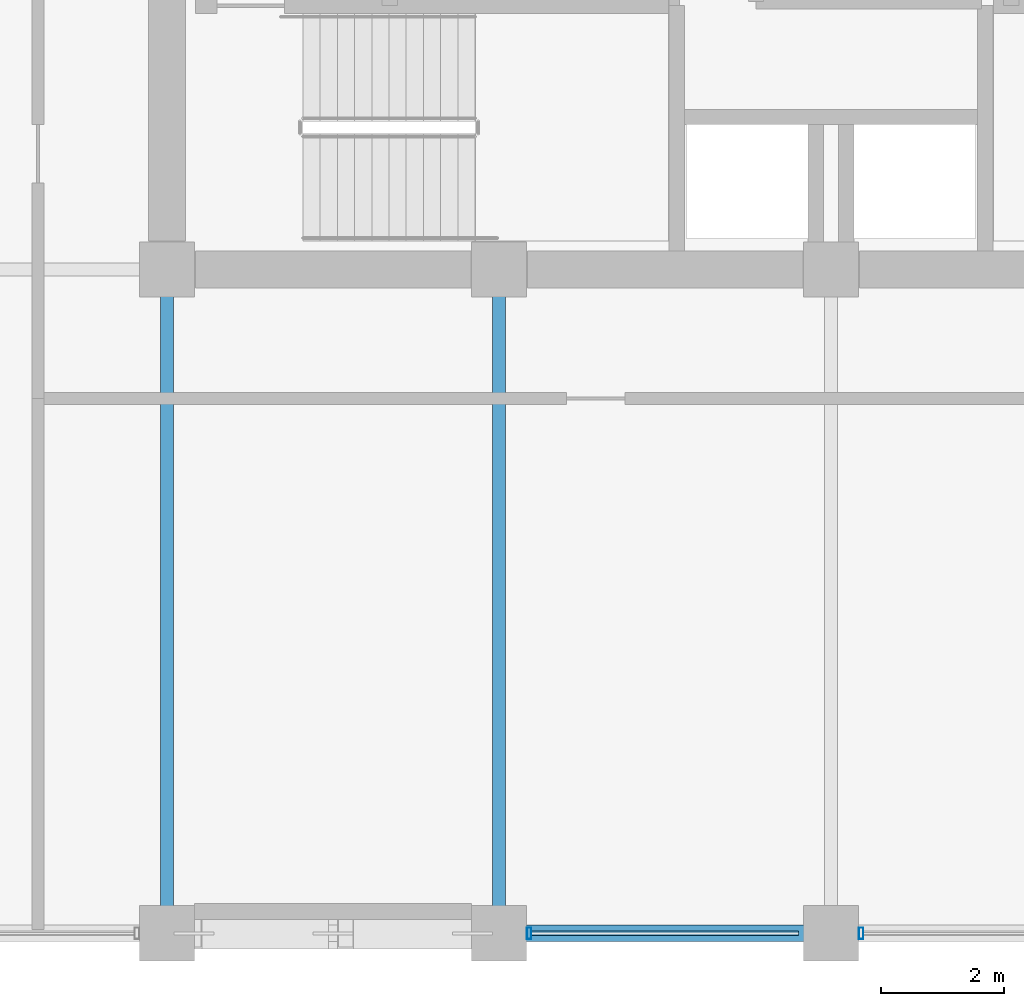
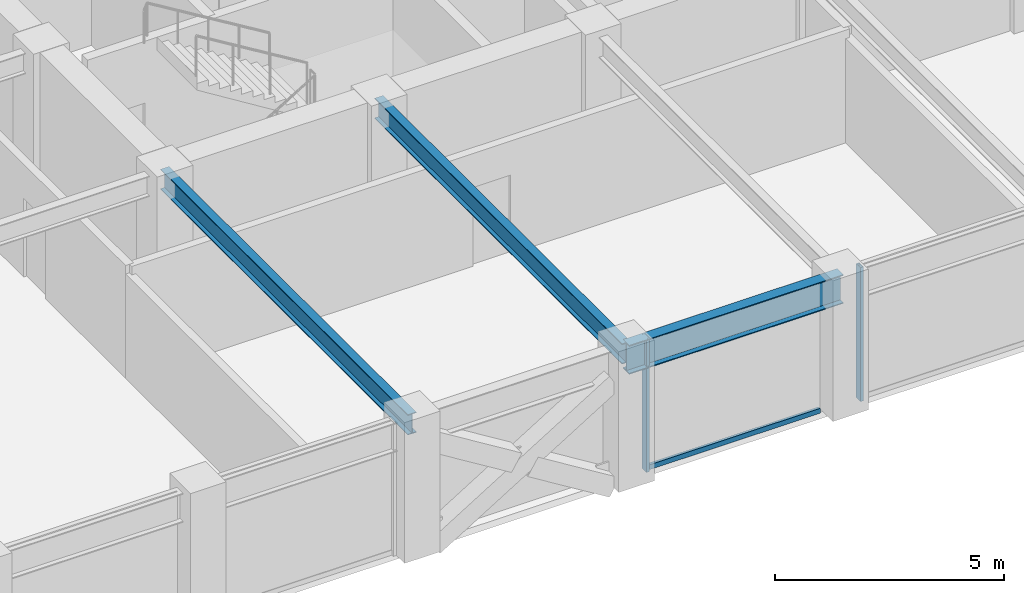
# One storey, part 6 of 32: 3 beams, 3 members, 1 element without a shape of its own.
"""IFC4 building model written with IfcOpenShell, lengths in metres."""

from ifc_helpers import new_model, si_unit, direction, frame, origin, origin_2d, place, context, subcontext, project, spatial, hollow_rectangle, i_section, extrude, material, layer, layer_set, material_profile, profile_set, type_object, element, aggregate, save


model = new_model("IFC4")

# Units and contexts
model_context = context("Model", 3, precision=1e-05, world=origin(), true_north=direction((0.0, 1.0)))
body_context = subcontext(model_context, "Body", "Model", "MODEL_VIEW")
ifc_project = project(units=[si_unit("LENGTHUNIT", "METRE"), si_unit("AREAUNIT", "SQUARE_METRE"), si_unit("VOLUMEUNIT", "CUBIC_METRE"), si_unit("PLANEANGLEUNIT", "RADIAN"), si_unit("MASSUNIT", "GRAM", prefix="KILO")], contexts=[model_context])

# Site, building, storey
site_placement = place(None, origin())
site = spatial("IfcSite", under=ifc_project, at=site_placement, CompositionType="ELEMENT")
building_placement = place(site_placement, origin())
building = spatial("IfcBuilding", under=site, at=building_placement, Name="Surkhivell Harbour Commons", CompositionType="ELEMENT")
storey_placement = place(building_placement, frame((0.0, 0.0, 201.0)))
storey = spatial("IfcBuildingStorey", under=building, at=storey_placement, Name="L52", CompositionType="ELEMENT", Elevation=201.0)

# Beams
ifc_material_1 = material(Name="Steel S355", Category="steel")
ifc_material_profile_1 = material_profile(ifc_material_1, i_section(OverallWidth=0.2119140625, OverallDepth=0.5439453125, WebThickness=0.0126953125, FlangeThickness=0.021240234375, at=origin_2d()), Name="UB533x210x122")
ifc_profile_set_1 = profile_set([ifc_material_profile_1], Name="Steel S355")
beam_type_1 = type_object("IfcBeamType", Name="BM-GRD-533A", PredefinedType="BEAM", material=ifc_profile_set_1)
for number, where, z_axis, x_axis, name in (
    (1, (-10.800048828125, -21.60009765625, 3.298095703125), (0.0, 1.0, 0.0), (-1.0, 0.0, 0.0), "L52 Floor Girder (-10.8,-21.6)"),
    (2, (-5.39990234375, -21.60009765625, 3.298095703125), (0.0, 1.0, 0.0), (-1.0, 0.0, 0.0), "L52 Floor Girder (-5.4,-21.6)"),
):
    element("IfcBeam", number, at=place(storey_placement, frame(where, z_axis=z_axis, x_axis=x_axis)), inside=storey, type_object=beam_type_1, Name=name, PredefinedType="BEAM", context=body_context, shape_type="SweptSolid", body=[
        extrude(i_section(OverallWidth=0.2119140625, OverallDepth=0.5439453125, WebThickness=0.0126953125, FlangeThickness=0.021240234375, at=origin_2d()), origin(), (0.0, 0.0, 1.0), 10.800048828125),
    ])
ifc_material_profile_2 = material_profile(ifc_material_1, i_section(OverallWidth=0.26806640625, OverallDepth=0.77001953125, WebThickness=0.015625, FlangeThickness=0.025390625, at=origin_2d()), Name="UB762x267x197")
ifc_profile_set_2 = profile_set([ifc_material_profile_2], Name="Steel S355")
beam_type_2 = type_object("IfcBeamType", Name="BM-SPN-762", PredefinedType="SPANDREL", material=ifc_profile_set_2)
beam_placement = place(storey_placement, frame((-5.39990234375, -21.60009765625, 3.18505859375), z_axis=(1.0, 0.0, 0.0), x_axis=(0.0, 1.0, 0.0)))
element("IfcBeam", 3, at=beam_placement, inside=storey, type_object=beam_type_2, Name="L52 Tube Spandrel (-5.4,-21.6)", PredefinedType="SPANDREL", context=body_context, shape_type="SweptSolid", body=[
    extrude(i_section(OverallWidth=0.26806640625, OverallDepth=0.77001953125, WebThickness=0.015625, FlangeThickness=0.025390625, at=origin_2d()), origin(), (0.0, 0.0, 1.0), 5.39990234375),
])

# Curtain wall, members
ifc_material_2 = material(Name="Anodised pale-metal aluminium and insulated glazing", Category="aluminium")
ifc_layer = layer(ifc_material_2, 0.18994140625)
ifc_layer_set = layer_set([ifc_layer], Name="Anodised pale-metal aluminium and insulated glazing")
curtain_wall_type = type_object("IfcCurtainWallType", Name="CW-SYS-Z3", PredefinedType="NOTDEFINED", material=ifc_layer_set)
curtain_wall_placement = place(storey_placement, origin())
curtain_wall = element("IfcCurtainWall", 4, at=curtain_wall_placement, inside=storey, type_object=curtain_wall_type, Name="L52 Curtain Wall CW-L52-E00S2", PredefinedType="NOTDEFINED")
ifc_material_3 = material(Name="Anodised pale-metal aluminium alloy 6063-T6", Category="aluminium")
ifc_material_profile_3 = material_profile(ifc_material_3, hollow_rectangle(XDim=0.074951171875, YDim=0.18994140625, WallThickness=0.00390625, at=origin_2d()), Name="ALU-MULL-75x190")
ifc_profile_set_3 = profile_set([ifc_material_profile_3], Name="Anodised pale-metal aluminium alloy 6063-T6")
member_type_1 = type_object("IfcMemberType", Name="CWM-190", PredefinedType="MULLION", material=ifc_profile_set_3)
member_1_placement = place(storey_placement, frame((-4.910400390625, -21.60009765625, 0.0), z_axis=(0.0, 0.0, 1.0), x_axis=(1.0, 0.0, 0.0)))
member_1 = element("IfcMember", 5, at=member_1_placement, type_object=member_type_1, Name="CW-Z3 mullion 1", PredefinedType="MULLION", context=body_context, shape_type="SweptSolid", body=[
    extrude(hollow_rectangle(XDim=0.074951171875, YDim=0.18994140625, WallThickness=0.00390625, at=origin_2d()), origin(), (0.0, 0.0, 1.0), 3.570068359375),
])
member_2_placement = place(storey_placement, frame((0.489501953125, -21.60009765625, 0.0), z_axis=(0.0, 0.0, 1.0), x_axis=(1.0, 0.0, 0.0)))
member_2 = element("IfcMember", 6, at=member_2_placement, type_object=member_type_1, Name="CW-Z3 mullion 2", PredefinedType="MULLION", context=body_context, shape_type="SweptSolid", body=[
    extrude(hollow_rectangle(XDim=0.074951171875, YDim=0.18994140625, WallThickness=0.00390625, at=origin_2d()), origin(), (0.0, 0.0, 1.0), 3.570068359375),
])
ifc_material_4 = material(Name="Champagne anodised aluminium alloy 6063-T6", Category="aluminium")
ifc_material_profile_4 = material_profile(ifc_material_4, hollow_rectangle(XDim=0.070068359375, YDim=0.1298828125, WallThickness=0.00341796875, at=origin_2d()), Name="ALU-TRAN-70x130")
ifc_profile_set_4 = profile_set([ifc_material_profile_4], Name="Champagne anodised aluminium alloy 6063-T6")
member_type_2 = type_object("IfcMemberType", Name="CWT-130", PredefinedType="USERDEFINED", material=ifc_profile_set_4)
member_3_placement = place(storey_placement, frame((-4.873046875, -21.60009765625, 0.06494140625), z_axis=(1.0, 0.0, 0.0), x_axis=(0.0, 1.0, 0.0)))
member_3 = element("IfcMember", 7, at=member_3_placement, type_object=member_type_2, Name="CW-Z3 transom 1.1", ObjectType="TRANSOM", PredefinedType="USERDEFINED", context=body_context, shape_type="SweptSolid", body=[
    extrude(hollow_rectangle(XDim=0.070068359375, YDim=0.1298828125, WallThickness=0.00341796875, at=origin_2d()), origin(), (0.0, 0.0, 1.0), 4.345947265625),
])
aggregate(curtain_wall, [member_1, member_3, member_2])

save(model, "model.ifc")
